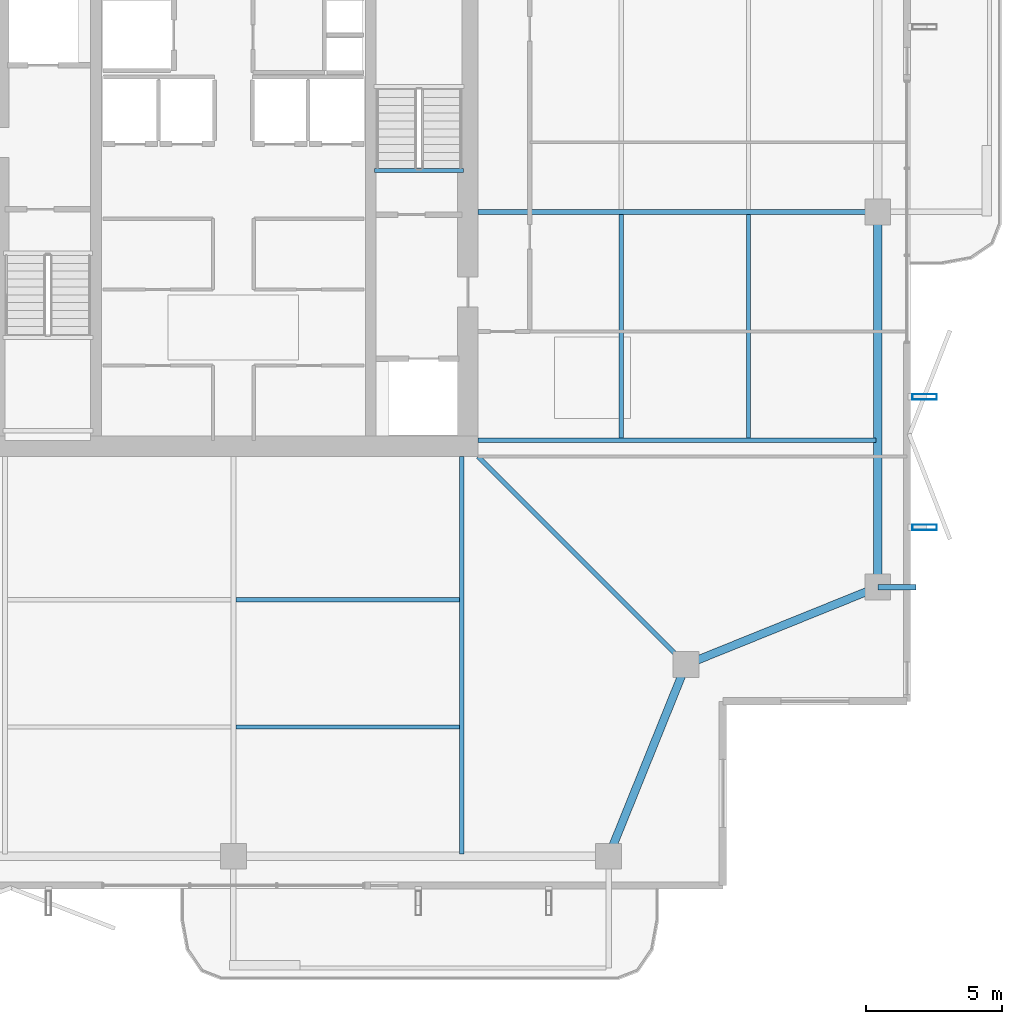
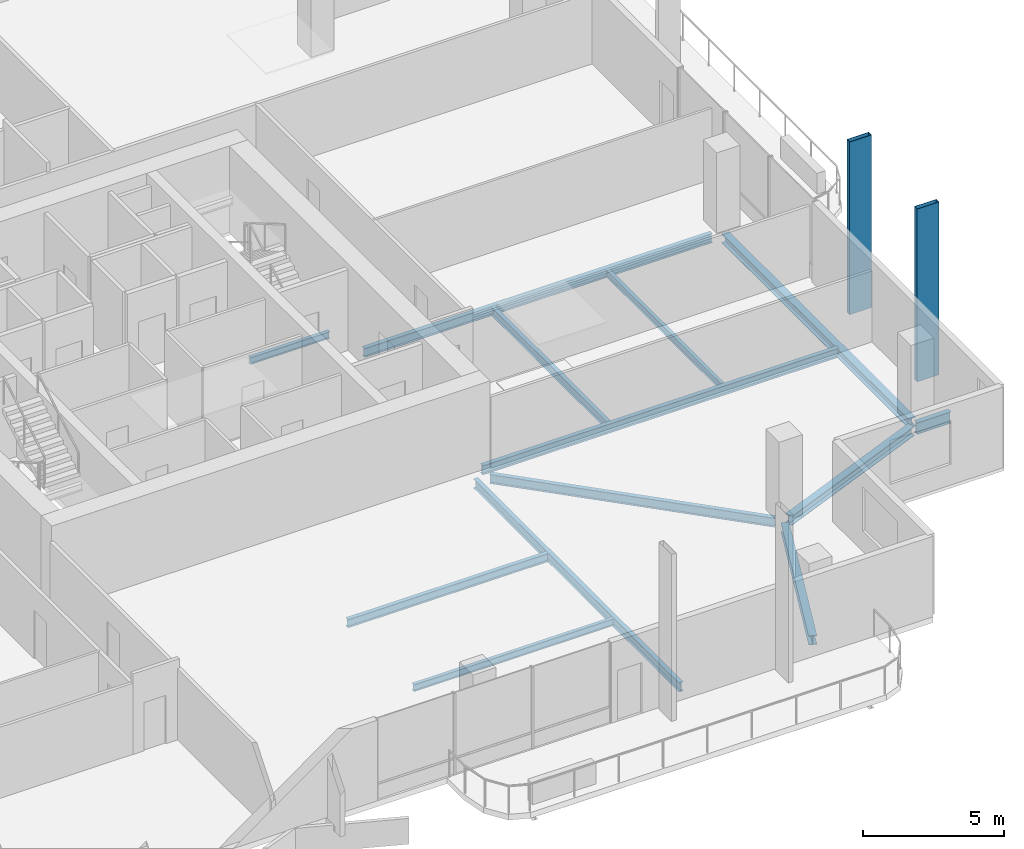
# One storey, part 9 of 25: 13 beams, 2 members.
"""IFC4 building model written with IfcOpenShell, lengths in metres."""

import ifcopenshell
import ifcopenshell.guid

model = None  # the IFC model being written
_history = None  # IfcOwnerHistory: only IFC2X3 demands one
_inside = {}  # id of a spatial element -> (the spatial element, [elements in it])
_under = {}  # id of a project, library or spatial element -> (it, [spatial elements below it])
_declared = {}  # id of a project -> (the project, [libraries it declares])
_typed = {}  # id of a type object -> (the type object, [elements of that type])
_made_of = {}  # id of a material, layer set ... -> (it, [elements and type objects made of it])


def new_model(schema):
    """Start an empty IFC model of exactly this schema.

    Asked for "IFC4X3", IfcOpenShell would pick the latest addendum, in which some entities
    have other attributes; the version numbers below select the first issue.
    IFC2X3 requires an IfcOwnerHistory on every rooted entity: one is made here for all.
    """
    global model, _history
    if schema == "IFC4X3":
        model = ifcopenshell.file(schema_version=(4, 3, 0, 0))
    else:
        model = ifcopenshell.file(schema=schema)
    _inside.clear()
    _under.clear()
    _declared.clear()
    _typed.clear()
    _made_of.clear()
    _history = None
    if model.schema == "IFC2X3":
        org = make("IfcOrganization", Name="unknown")
        user = make(
            "IfcPersonAndOrganization",
            ThePerson=make("IfcPerson", FamilyName="unknown"),
            TheOrganization=org,
        )
        app = make(
            "IfcApplication",
            ApplicationDeveloper=org,
            Version="unknown",
            ApplicationFullName="unknown",
            ApplicationIdentifier="unknown",
        )
        _history = make(
            "IfcOwnerHistory",
            OwningUser=user,
            OwningApplication=app,
            ChangeAction="ADDED",
            CreationDate=0,
        )
    return model


def make(cls, **values):
    """One entity of the class cls with the attributes given. An attribute that is None is left unset."""
    return model.create_entity(
        cls, **{name: value for name, value in values.items() if value is not None}
    )


def rooted(cls, **values):
    """An entity with a GlobalId (a new one), such as an element, a storey or a relation."""
    return make(cls, GlobalId=ifcopenshell.guid.new(), OwnerHistory=_history, **values)


def si_unit(unit_type, name, prefix=None):
    """IfcSIUnit, for example si_unit("LENGTHUNIT", "METRE", prefix="MILLI")."""
    return make("IfcSIUnit", UnitType=unit_type, Prefix=prefix, Name=name)


def assignment(units):
    """IfcUnitAssignment: the units of a project."""
    return None if units is None else make("IfcUnitAssignment", Units=units)


def point(xyz):
    """IfcCartesianPoint."""
    return None if xyz is None else make("IfcCartesianPoint", Coordinates=xyz)


def direction(xyz):
    """IfcDirection."""
    return None if xyz is None else make("IfcDirection", DirectionRatios=xyz)


def frame(location, z_axis=None, x_axis=None):
    """IfcAxis2Placement3D, a coordinate frame: its origin and axes. An axis left out is left unset."""
    return make(
        "IfcAxis2Placement3D",
        Location=point(location),
        Axis=direction(z_axis),
        RefDirection=direction(x_axis),
    )


def frame_2d(location, x_axis=None):
    """IfcAxis2Placement2D, a coordinate frame in the plane: its origin and x axis."""
    return make(
        "IfcAxis2Placement2D", Location=point(location), RefDirection=direction(x_axis)
    )


def origin():
    """The frame at (0, 0, 0) with its axes left unset."""
    return frame((0.0, 0.0, 0.0))


def origin_2d():
    """The frame at (0, 0) in the plane with its x axis left unset."""
    return frame_2d((0.0, 0.0))


def place(relative_to, where):
    """IfcLocalPlacement: puts the frame where relative to a parent placement (None: the world)."""
    return make(
        "IfcLocalPlacement", PlacementRelTo=relative_to, RelativePlacement=where
    )


def context(
    kind, dimensions, precision=None, world=None, true_north=None, identifier=None
):
    """IfcGeometricRepresentationContext, for example the 3D "Model" context."""
    return make(
        "IfcGeometricRepresentationContext",
        ContextIdentifier=identifier,
        ContextType=kind,
        CoordinateSpaceDimension=dimensions,
        Precision=precision,
        WorldCoordinateSystem=world,
        TrueNorth=true_north,
    )


def subcontext(parent, identifier, kind, view, scale=None):
    """IfcGeometricRepresentationSubContext, for example "Body" below "Model"."""
    return make(
        "IfcGeometricRepresentationSubContext",
        ContextIdentifier=identifier,
        ContextType=kind,
        ParentContext=parent,
        TargetScale=scale,
        TargetView=view,
    )


def project(units=None, contexts=None):
    """IfcProject with its units and contexts."""
    return rooted(
        "IfcProject",
        Name="project",
        RepresentationContexts=contexts,
        UnitsInContext=assignment(units),
    )


def spatial(cls, under=None, at=None, **own):
    """A site, building, storey or space (cls), placed at a placement, below another one or the project."""
    s = rooted(cls, ObjectPlacement=at, **own)
    if under is not None:
        _under.setdefault(under.id(), (under, []))[1].append(s)
    return s


def profile(cls, at=None, kind="AREA", **sizes):
    """A parametric profile (cls). Its sizes go by their IFC names, for example OverallWidth=200.0."""
    return make(cls, ProfileType=kind, Position=at, **sizes)


def hollow_rectangle(**sizes):
    """IfcRectangleHollowProfileDef."""
    return profile("IfcRectangleHollowProfileDef", **sizes)


def i_section(**sizes):
    """IfcIShapeProfileDef."""
    return profile("IfcIShapeProfileDef", **sizes)


def extrude(swept, where, along, depth):
    """IfcExtrudedAreaSolid: the profile swept, set in the frame where, extruded along a direction by depth."""
    return make(
        "IfcExtrudedAreaSolid",
        SweptArea=swept,
        Position=where,
        ExtrudedDirection=direction(along),
        Depth=depth,
    )


def shape(context_of_items, identifier, shape_type, items):
    """IfcShapeRepresentation: the items that make up one representation, for example the "Body"."""
    return make(
        "IfcShapeRepresentation",
        ContextOfItems=context_of_items,
        RepresentationIdentifier=identifier,
        RepresentationType=shape_type,
        Items=items,
    )


def material(Name=None, Category=None):
    """IfcMaterial."""
    return make("IfcMaterial", Name=Name, Category=Category)


def material_profile(
    of_material, cross_section, Name=None, Category=None, Priority=None
):
    """IfcMaterialProfile: a cross section and its material."""
    return make(
        "IfcMaterialProfile",
        Name=Name,
        Material=of_material,
        Profile=cross_section,
        Priority=Priority,
        Category=Category,
    )


def profile_set(profiles, Name=None, composite=None):
    """IfcMaterialProfileSet."""
    return make(
        "IfcMaterialProfileSet",
        Name=Name,
        MaterialProfiles=profiles,
        CompositeProfile=composite,
    )


def made_of(thing, what):
    """Note that an element or type object is made of a material, layer set ...; save() writes the relation."""
    if what is not None:
        _made_of.setdefault(what.id(), (what, []))[1].append(thing)
    return thing


def type_object(cls, material=None, **own):
    """A type object (cls), such as IfcWallType, which elements share."""
    return made_of(rooted(cls, **own), material)


def element(
    cls,
    number,
    at=None,
    inside=None,
    cuts=None,
    type_object=None,
    material=None,
    context=None,
    identifier="Body",
    shape_type=None,
    held_by="IfcProductDefinitionShape",
    body=None,
    shapes=None,
    **own,
):
    """One element of the class cls, such as IfcWall. Its Tag is "e" and its number.

    at: its placement. inside: the storey or other place that contains it. cuts: it is an
    opening in that element (IfcRelVoidsElement). A single representation is given by context,
    identifier, shape_type and body (its items); several are given by shapes. held_by: the class
    of the entity that holds the representations. save() writes the other relations.
    """
    e = rooted(cls, Tag="e%d" % number, ObjectPlacement=at, **own)
    if body is not None:
        shapes = [shape(context, identifier, shape_type, body)]
    if shapes is not None:
        e.Representation = make(held_by, Representations=shapes)
    if inside is not None:
        _inside.setdefault(inside.id(), (inside, []))[1].append(e)
    if cuts is not None:
        rooted(
            "IfcRelVoidsElement", RelatingBuildingElement=cuts, RelatedOpeningElement=e
        )
    if type_object is not None:
        _typed.setdefault(type_object.id(), (type_object, []))[1].append(e)
    return made_of(e, material)


def aggregate(whole, parts):
    """IfcRelAggregates: a whole, such as a stair, and the parts it consists of."""
    return rooted("IfcRelAggregates", RelatingObject=whole, RelatedObjects=parts)


def save(model, path):
    """Write the relations noted so far, then the file.

    IfcRelAggregates (storeys below a building ...), IfcRelContainedInSpatialStructure (elements
    in a storey), IfcRelDefinesByType, IfcRelAssociatesMaterial and IfcRelDeclares: one each for
    every whole, place, type object, material and project.
    """
    for whole, parts in _under.values():
        aggregate(whole, parts)
    for where, things in _inside.values():
        rooted(
            "IfcRelContainedInSpatialStructure",
            RelatedElements=things,
            RelatingStructure=where,
        )
    for kind, things in _typed.values():
        rooted("IfcRelDefinesByType", RelatedObjects=things, RelatingType=kind)
    for what, things in _made_of.values():
        rooted("IfcRelAssociatesMaterial", RelatedObjects=things, RelatingMaterial=what)
    for by, libraries in _declared.values():
        rooted("IfcRelDeclares", RelatingContext=by, RelatedDefinitions=libraries)
    model.write(path)


model = new_model("IFC4")

# Units and contexts
model_context = context("Model", 3, precision=1e-05, world=origin(), true_north=direction((0.0, 1.0)))
body_context = subcontext(model_context, "Body", "Model", "MODEL_VIEW")
ifc_project = project(units=[si_unit("LENGTHUNIT", "METRE"), si_unit("AREAUNIT", "SQUARE_METRE"), si_unit("VOLUMEUNIT", "CUBIC_METRE"), si_unit("PLANEANGLEUNIT", "RADIAN"), si_unit("MASSUNIT", "GRAM", prefix="KILO")], contexts=[model_context])

# Site, building, storey
site_placement = place(None, origin())
site = spatial("IfcSite", under=ifc_project, at=site_placement, CompositionType="ELEMENT")
building_placement = place(site_placement, origin())
building = spatial("IfcBuilding", under=site, at=building_placement, Name="Belovzor Exchange Tower", CompositionType="ELEMENT")
storey_placement = place(building_placement, frame((0.0, 0.0, 272.85009765625)))
storey = spatial("IfcBuildingStorey", under=building, at=storey_placement, Name="L68", CompositionType="ELEMENT", Elevation=272.85009765625)

# Beams
ifc_material_1 = material(Name="Steel S355", Category="steel")
ifc_material_profile_1 = material_profile(ifc_material_1, i_section(OverallWidth=0.199951171875, OverallDepth=0.5, WebThickness=0.01025390625, FlangeThickness=0.01611328125, at=origin_2d()))
ifc_profile_set_1 = profile_set([ifc_material_profile_1], Name="Steel S355")
beam_type_1 = type_object("IfcBeamType", Name="Planted Balcony Cantilever Beam IPE 500", PredefinedType="BEAM", material=ifc_profile_set_1)
beam_1_placement = place(storey_placement, frame((52.5, 15.0, -0.5), z_axis=(1.0, 0.0, 0.0), x_axis=(0.0, 1.0, 0.0)))
element("IfcBeam", 1, at=beam_1_placement, inside=storey, type_object=beam_type_1, Name="BC-500 Planted Balcony Cantilever Beam IPE 500", PredefinedType="BEAM", context=body_context, shape_type="SweptSolid", body=[
    extrude(i_section(OverallWidth=0.199951171875, OverallDepth=0.5, WebThickness=0.01025390625, FlangeThickness=0.01611328125, at=origin_2d()), origin(), (0.0, 0.0, 1.0), 1.39990234375),
])
ifc_material_2 = material(Name="Steel S355", Category="steel")
ifc_material_profile_2 = material_profile(ifc_material_2, i_section(OverallWidth=0.169921875, OverallDepth=0.360107421875, WebThickness=0.008056640625, FlangeThickness=0.0126953125, at=origin_2d()))
ifc_profile_set_2 = profile_set([ifc_material_profile_2], Name="Steel S355")
beam_type_2 = type_object("IfcBeamType", Name="Secondary Infill Floor Joist IPE 360", PredefinedType="BEAM", material=ifc_profile_set_2)
beam_2_placement = place(storey_placement, frame((28.889892578125, 14.534912109375, -0.43017578125), z_axis=(1.0, 0.0, 0.0), x_axis=(0.0, 1.0, 0.0)))
element("IfcBeam", 2, at=beam_2_placement, inside=storey, type_object=beam_type_2, Name="FJ-360 Secondary Infill Floor Joist IPE 360", PredefinedType="BEAM", context=body_context, shape_type="SweptSolid", body=[
    extrude(i_section(OverallWidth=0.169921875, OverallDepth=0.360107421875, WebThickness=0.008056640625, FlangeThickness=0.0126953125, at=origin_2d()), origin(), (0.0, 0.0, 1.0), 8.22021484375),
])
beam_3_placement = place(storey_placement, frame((43.06494140625, 20.489990234375, -0.43017578125), z_axis=(0.0, 1.0, 0.0), x_axis=(-1.0, 0.0, 0.0)))
element("IfcBeam", 3, at=beam_3_placement, inside=storey, type_object=beam_type_2, Name="FJ-360 Secondary Infill Floor Joist IPE 360", PredefinedType="BEAM", context=body_context, shape_type="SweptSolid", body=[
    extrude(i_section(OverallWidth=0.169921875, OverallDepth=0.360107421875, WebThickness=0.008056640625, FlangeThickness=0.0126953125, at=origin_2d()), origin(), (0.0, 0.0, 1.0), 8.219970703125),
])
ifc_material_3 = material(Name="Steel S355", Category="steel")
ifc_material_profile_3 = material_profile(ifc_material_3, i_section(OverallWidth=0.14990234375, OverallDepth=0.300048828125, WebThickness=0.007080078125, FlangeThickness=0.0107421875, at=origin_2d()))
ifc_profile_set_3 = profile_set([ifc_material_profile_3], Name="Steel S355")
beam_type_3 = type_object("IfcBeamType", Name="Secondary Trim Floor Joist IPE 300", PredefinedType="BEAM", material=ifc_profile_set_3)
beam_4_placement = place(storey_placement, frame((37.260009765625, 30.320068359375, -0.400146484375), z_axis=(-1.0, 0.0, 0.0), x_axis=(0.0, -1.0, 0.0)))
element("IfcBeam", 4, at=beam_4_placement, inside=storey, type_object=beam_type_3, Name="FJ-300 Secondary Trim Floor Joist IPE 300", PredefinedType="BEAM", context=body_context, shape_type="SweptSolid", body=[
    extrude(i_section(OverallWidth=0.14990234375, OverallDepth=0.300048828125, WebThickness=0.007080078125, FlangeThickness=0.0107421875, at=origin_2d()), origin(), (0.0, 0.0, 1.0), 3.27001953125),
])
beam_5_placement = place(storey_placement, frame((28.889892578125, 9.85498046875, -0.400146484375), z_axis=(1.0, 0.0, 0.0), x_axis=(0.0, 1.0, 0.0)))
element("IfcBeam", 5, at=beam_5_placement, inside=storey, type_object=beam_type_3, Name="FJ-300 Secondary Trim Floor Joist IPE 300", PredefinedType="BEAM", context=body_context, shape_type="SweptSolid", body=[
    extrude(i_section(OverallWidth=0.14990234375, OverallDepth=0.300048828125, WebThickness=0.007080078125, FlangeThickness=0.0107421875, at=origin_2d()), origin(), (0.0, 0.0, 1.0), 8.22021484375),
])
beam_6_placement = place(storey_placement, frame((47.7451171875, 20.489990234375, -0.400146484375), z_axis=(0.0, 1.0, 0.0), x_axis=(-1.0, 0.0, 0.0)))
element("IfcBeam", 6, at=beam_6_placement, inside=storey, type_object=beam_type_3, Name="FJ-300 Secondary Trim Floor Joist IPE 300", PredefinedType="BEAM", context=body_context, shape_type="SweptSolid", body=[
    extrude(i_section(OverallWidth=0.14990234375, OverallDepth=0.300048828125, WebThickness=0.007080078125, FlangeThickness=0.0107421875, at=origin_2d()), origin(), (0.0, 0.0, 1.0), 8.219970703125),
])

# Members
ifc_material_4 = material(Name="Extruded Architectural Terracotta on Steel S355 Carrier", Category="masonry")
ifc_material_profile_4 = material_profile(ifc_material_4, hollow_rectangle(XDim=0.199951171875, YDim=0.89990234375, WallThickness=0.011962890625, at=origin_2d()))
ifc_profile_set_4 = profile_set([ifc_material_profile_4], Name="Extruded Architectural Terracotta on Steel S355 Carrier")
member_type = type_object("IfcMemberType", Name="Sweeping Terracotta Baguette Fin Assembly 950", PredefinedType="USERDEFINED", material=ifc_profile_set_4)
for number, where, z_axis, x_axis, name in (
    (7, (54.22509765625, 17.199951171875, -0.25), (0.0, 0.0, 1.0), (0.0, 1.0, 0.0), "FIN-TC095 Terracotta Facade Fin L68 E1"),
    (8, (54.22509765625, 22.0, -0.25), (0.0, 0.0, 1.0), (0.0, 1.0, 0.0), "FIN-TC095 Terracotta Facade Fin L68 E2"),
):
    element("IfcMember", number, at=place(storey_placement, frame(where, z_axis=z_axis, x_axis=x_axis)), inside=storey, type_object=member_type, Name=name, ObjectType="FIN", PredefinedType="USERDEFINED", context=body_context, shape_type="SweptSolid", body=[
        extrude(hollow_rectangle(XDim=0.199951171875, YDim=0.89990234375, WallThickness=0.011962890625, at=origin_2d()), origin(), (0.0, 0.0, 1.0), 7.5),
    ])

# Beams
ifc_material_5 = material(Name="Steel S355", Category="steel")
ifc_material_profile_5 = material_profile(ifc_material_5, i_section(OverallWidth=0.300048828125, OverallDepth=0.39990234375, WebThickness=0.013427734375, FlangeThickness=0.02392578125, at=origin_2d()))
ifc_profile_set_5 = profile_set([ifc_material_profile_5], Name="Steel S355")
beam_type_4 = type_object("IfcBeamType", Name="Zone 5 Primary Girder HEB 400", PredefinedType="BEAM", material=ifc_profile_set_5)
beam_7_placement = place(storey_placement, frame((42.697998046875, 5.342041015625, -0.4501953125), z_axis=(0.374758283536, 0.927122553345, 0.0), x_axis=(-0.927122553345, 0.374758283536, 0.0)))
element("IfcBeam", 9, at=beam_7_placement, inside=storey, type_object=beam_type_4, Name="FG-Z5 Zone 5 Primary Girder HEB 400", PredefinedType="BEAM", context=body_context, shape_type="SweptSolid", body=[
    extrude(i_section(OverallWidth=0.300048828125, OverallDepth=0.39990234375, WebThickness=0.013427734375, FlangeThickness=0.02392578125, at=origin_2d()), origin(), (0.0, 0.0, 1.0), 7.08203125),
])
beam_8_placement = place(storey_placement, frame((45.69189453125, 12.248046875, -0.4501953125), z_axis=(0.927127394661, 0.374746306278, 0.0), x_axis=(-0.374746306278, 0.927127394661, 0.0)))
element("IfcBeam", 10, at=beam_8_placement, inside=storey, type_object=beam_type_4, Name="FG-Z5 Zone 5 Primary Girder HEB 400", PredefinedType="BEAM", context=body_context, shape_type="SweptSolid", body=[
    extrude(i_section(OverallWidth=0.300048828125, OverallDepth=0.39990234375, WebThickness=0.013427734375, FlangeThickness=0.02392578125, at=origin_2d()), origin(), (0.0, 0.0, 1.0), 7.082275390625),
])
beam_9_placement = place(storey_placement, frame((52.5, 15.260986328125, -0.4501953125), z_axis=(0.0, 1.0, 0.0), x_axis=(-1.0, 0.0, 0.0)))
element("IfcBeam", 11, at=beam_9_placement, inside=storey, type_object=beam_type_4, Name="FG-Z5 Zone 5 Primary Girder HEB 400", PredefinedType="BEAM", context=body_context, shape_type="SweptSolid", body=[
    extrude(i_section(OverallWidth=0.300048828125, OverallDepth=0.39990234375, WebThickness=0.013427734375, FlangeThickness=0.02392578125, at=origin_2d()), origin(), (0.0, 0.0, 1.0), 13.278076171875),
])
ifc_material_6 = material(Name="Steel S355", Category="steel")
ifc_material_profile_6 = material_profile(ifc_material_6, i_section(OverallWidth=0.179931640625, OverallDepth=0.39990234375, WebThickness=0.008544921875, FlangeThickness=0.013427734375, at=origin_2d()))
ifc_profile_set_6 = profile_set([ifc_material_profile_6], Name="Steel S355")
beam_type_5 = type_object("IfcBeamType", Name="Zone 5-6 Radial Composite Floor Beam IPE 400", PredefinedType="BEAM", material=ifc_profile_set_6)
for number, where, z_axis, x_axis, name in (
    (12, (37.199951171875, 19.800048828125, -0.4501953125), (0.0, -1.0, 0.0), (1.0, 0.0, 0.0), "FB-400 Zone 5-6 Radial Composite Floor Beam IPE 400"),
    (13, (37.800048828125, 20.39990234375, -0.4501953125), (1.0, 0.0, 0.0), (0.0, 1.0, 0.0), "FB-400 Zone 5-6 Radial Composite Floor Beam IPE 400"),
):
    element("IfcBeam", number, at=place(storey_placement, frame(where, z_axis=z_axis, x_axis=x_axis)), inside=storey, type_object=beam_type_5, Name=name, PredefinedType="BEAM", context=body_context, shape_type="SweptSolid", body=[
        extrude(i_section(OverallWidth=0.179931640625, OverallDepth=0.39990234375, WebThickness=0.008544921875, FlangeThickness=0.013427734375, at=origin_2d()), origin(), (0.0, 0.0, 1.0), 14.625),
    ])
beam_10_placement = place(storey_placement, frame((37.800048828125, 28.800048828125, -0.4501953125), z_axis=(1.0, 0.0, 0.0), x_axis=(0.0, 1.0, 0.0)))
element("IfcBeam", 14, at=beam_10_placement, inside=storey, type_object=beam_type_5, Name="FB-400 Zone 5-6 Radial Composite Floor Beam IPE 400", PredefinedType="BEAM", context=body_context, shape_type="SweptSolid", body=[
    extrude(i_section(OverallWidth=0.179931640625, OverallDepth=0.39990234375, WebThickness=0.008544921875, FlangeThickness=0.013427734375, at=origin_2d()), origin(), (0.0, 0.0, 1.0), 14.281982421875),
])
beam_11_placement = place(storey_placement, frame((37.800048828125, 19.800048828125, -0.4501953125), z_axis=(0.707141714703, -0.707071845944, 0.0), x_axis=(0.707071845944, 0.707141714703, 0.0)))
element("IfcBeam", 15, at=beam_11_placement, inside=storey, type_object=beam_type_5, Name="FB-400 Zone 5-6 Radial Composite Floor Beam IPE 400", PredefinedType="BEAM", context=body_context, shape_type="SweptSolid", body=[
    extrude(i_section(OverallWidth=0.179931640625, OverallDepth=0.39990234375, WebThickness=0.008544921875, FlangeThickness=0.013427734375, at=origin_2d()), origin(), (0.0, 0.0, 1.0), 10.48291015625),
])

save(model, "model.ifc")
